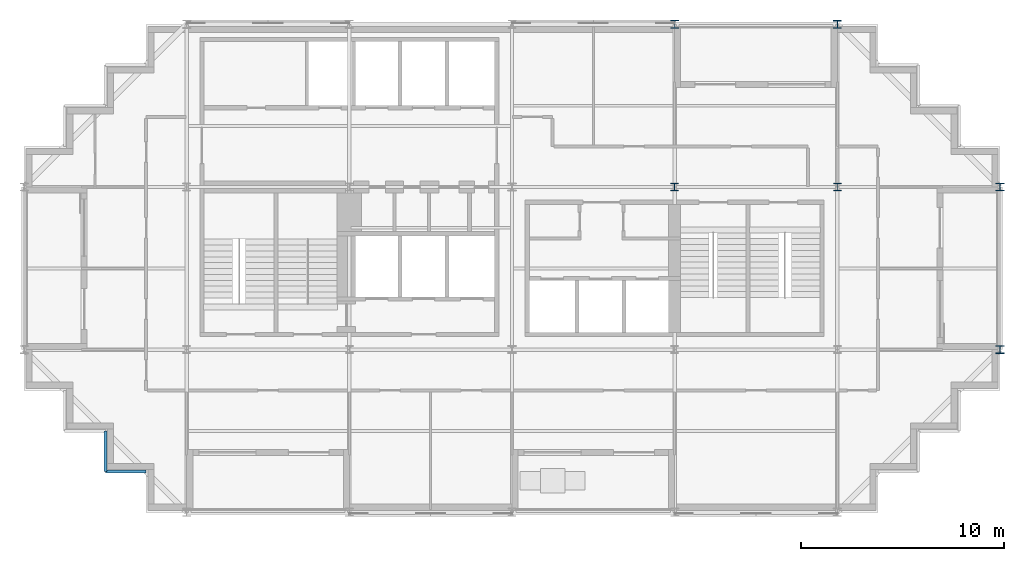
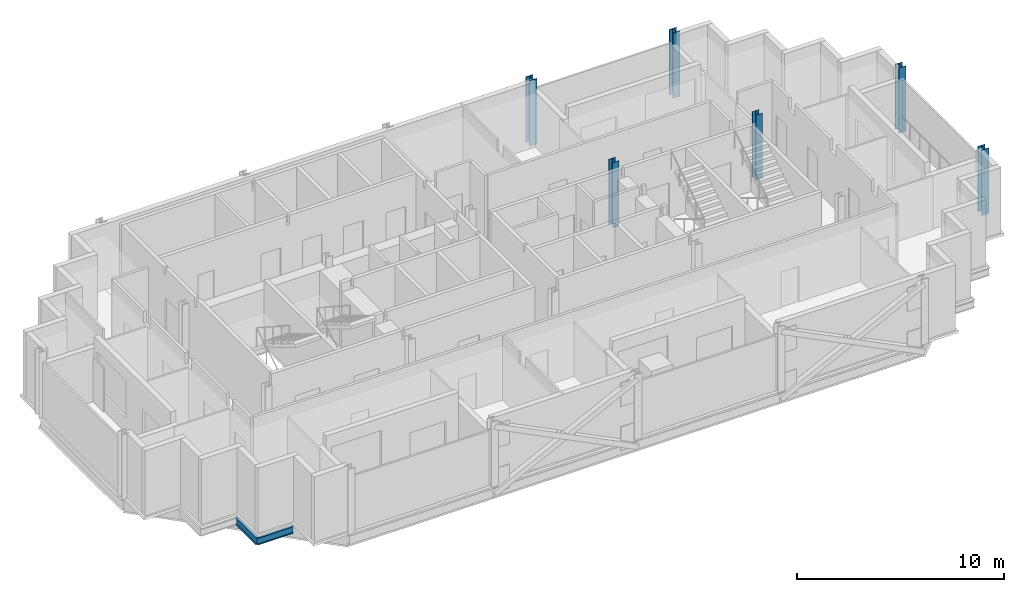
# One storey, part 2 of 10: 6 columns, 2 beams.
"""IFC4 building model written with IfcOpenShell, lengths in metres."""

from ifc_helpers import new_model, si_unit, direction, frame, origin, origin_2d, place, context, subcontext, project, spatial, i_section, extrude, material, material_profile, profile_set, type_object, element, save


model = new_model("IFC4")

# Units and contexts
model_context = context("Model", 3, precision=1e-05, world=origin(), true_north=direction((0.0, 1.0)))
body_context = subcontext(model_context, "Body", "Model", "MODEL_VIEW")
ifc_project = project(units=[si_unit("LENGTHUNIT", "METRE"), si_unit("AREAUNIT", "SQUARE_METRE"), si_unit("VOLUMEUNIT", "CUBIC_METRE"), si_unit("PLANEANGLEUNIT", "RADIAN"), si_unit("MASSUNIT", "GRAM", prefix="KILO")], contexts=[model_context])

# Site, building, storey
site_placement = place(None, origin())
site = spatial("IfcSite", under=ifc_project, at=site_placement, CompositionType="ELEMENT")
building_placement = place(site_placement, origin())
building = spatial("IfcBuilding", under=site, at=building_placement, Name="Immortelle Media Tower", CompositionType="ELEMENT")
storey_placement = place(building_placement, frame((0.0, 0.0, 221.0)))
storey = spatial("IfcBuildingStorey", under=building, at=storey_placement, Name="L47", CompositionType="ELEMENT", Elevation=221.0)

# Columns
ifc_material = material(Name="Steel ASTM A992 Gr 50", Category="steel")
ifc_material_profile_1 = material_profile(ifc_material, i_section(OverallWidth=0.373046875, OverallDepth=0.367919921875, WebThickness=0.014892578125, FlangeThickness=0.02392578125, at=origin_2d()), Name="W14x120")
ifc_profile_set_1 = profile_set([ifc_material_profile_1], Name="Steel ASTM A992 Gr 50")
column_type_1 = type_object("IfcColumnType", Name="W14x120 column", PredefinedType="COLUMN", material=ifc_profile_set_1)
for number, where, z_axis, x_axis, name in (
    (1, (32.0, 16.0, 0.0), (0.0, 0.0, 1.0), (1.0, 0.0, 0.0), "Column 5/C"),
    (2, (40.0, 16.0, 0.0), (0.0, 0.0, 1.0), (1.0, 0.0, 0.0), "Column 6/C"),
):
    element("IfcColumn", number, at=place(storey_placement, frame(where, z_axis=z_axis, x_axis=x_axis)), inside=storey, type_object=column_type_1, Name=name, PredefinedType="COLUMN", context=body_context, shape_type="SweptSolid", body=[
        extrude(i_section(OverallWidth=0.373046875, OverallDepth=0.367919921875, WebThickness=0.014892578125, FlangeThickness=0.02392578125, at=origin_2d()), origin(), (0.0, 0.0, 1.0), 3.85009765625),
    ])
ifc_material_profile_2 = material_profile(ifc_material, i_section(OverallWidth=0.39892578125, OverallDepth=0.385986328125, WebThickness=0.02099609375, FlangeThickness=0.032958984375, at=origin_2d()), Name="W14x176")
ifc_profile_set_2 = profile_set([ifc_material_profile_2], Name="Steel ASTM A992 Gr 50")
column_type_2 = type_object("IfcColumnType", Name="W14x176 column", PredefinedType="COLUMN", material=ifc_profile_set_2)
for number, where, z_axis, x_axis, name in (
    (3, (40.0, 24.0, 0.0), (0.0, 0.0, 1.0), (1.0, 0.0, 0.0), "Column 6/D"),
    (4, (48.0, 8.0, 0.0), (0.0, 0.0, 1.0), (1.0, 0.0, 0.0), "Column 7/B"),
    (5, (48.0, 16.0, 0.0), (0.0, 0.0, 1.0), (1.0, 0.0, 0.0), "Column 7/C"),
):
    element("IfcColumn", number, at=place(storey_placement, frame(where, z_axis=z_axis, x_axis=x_axis)), inside=storey, type_object=column_type_2, Name=name, PredefinedType="COLUMN", context=body_context, shape_type="SweptSolid", body=[
        extrude(i_section(OverallWidth=0.39892578125, OverallDepth=0.385986328125, WebThickness=0.02099609375, FlangeThickness=0.032958984375, at=origin_2d()), origin(), (0.0, 0.0, 1.0), 3.85009765625),
    ])
ifc_material_profile_3 = material_profile(ifc_material, i_section(OverallWidth=0.406005859375, OverallDepth=0.4169921875, WebThickness=0.030029296875, FlangeThickness=0.048095703125, at=origin_2d()), Name="W14x257")
ifc_profile_set_3 = profile_set([ifc_material_profile_3], Name="Steel ASTM A992 Gr 50")
column_type_3 = type_object("IfcColumnType", Name="W14x257 column", PredefinedType="COLUMN", material=ifc_profile_set_3)
column_placement = place(storey_placement, frame((32.0, 24.0, 0.0), z_axis=(0.0, 0.0, 1.0), x_axis=(1.0, 0.0, 0.0)))
element("IfcColumn", 6, at=column_placement, inside=storey, type_object=column_type_3, Name="Column 5/D", PredefinedType="COLUMN", context=body_context, shape_type="SweptSolid", body=[
    extrude(i_section(OverallWidth=0.406005859375, OverallDepth=0.4169921875, WebThickness=0.030029296875, FlangeThickness=0.048095703125, at=origin_2d()), origin(), (0.0, 0.0, 1.0), 3.85009765625),
])

# Beams
ifc_material_profile_4 = material_profile(ifc_material, i_section(OverallWidth=0.139892578125, OverallDepth=0.404052734375, WebThickness=0.007080078125, FlangeThickness=0.010986328125, at=origin_2d()), Name="W16x31")
ifc_profile_set_4 = profile_set([ifc_material_profile_4], Name="Steel ASTM A992 Gr 50")
beam_type = type_object("IfcBeamType", Name="W16x31 serration edge beam", PredefinedType="SPANDREL", material=ifc_profile_set_4)
for number, where, z_axis, x_axis, name in (
    (7, (6.0, 2.0, -0.35205078125), (-1.0, 0.0, 0.0), (0.0, -1.0, 0.0), "Corner edge beam 1 at 1/A"),
    (8, (4.0, 2.0, -0.35205078125), (0.0, 1.0, 0.0), (-1.0, 0.0, 0.0), "Corner edge beam 2 at 1/A"),
):
    element("IfcBeam", number, at=place(storey_placement, frame(where, z_axis=z_axis, x_axis=x_axis)), inside=storey, type_object=beam_type, Name=name, PredefinedType="SPANDREL", context=body_context, shape_type="SweptSolid", body=[
        extrude(i_section(OverallWidth=0.139892578125, OverallDepth=0.404052734375, WebThickness=0.007080078125, FlangeThickness=0.010986328125, at=origin_2d()), origin(), (0.0, 0.0, 1.0), 2.0),
    ])

save(model, "model.ifc")
